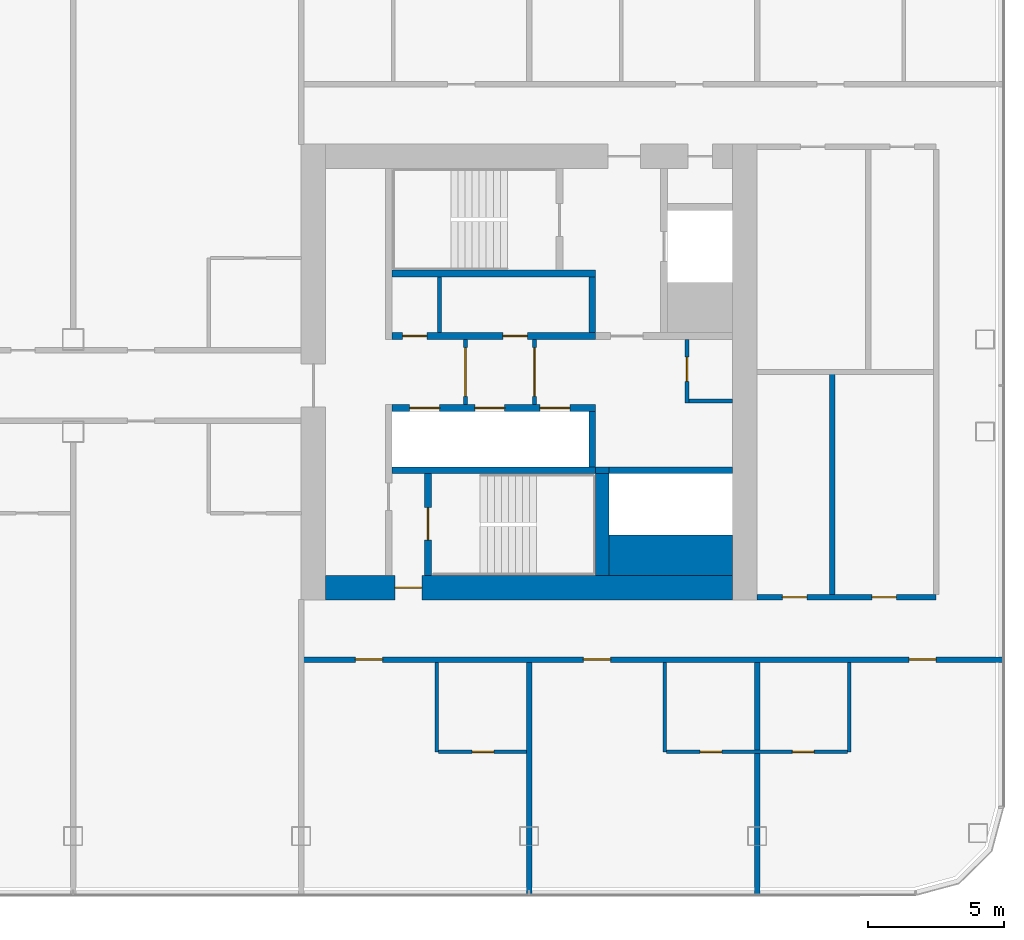
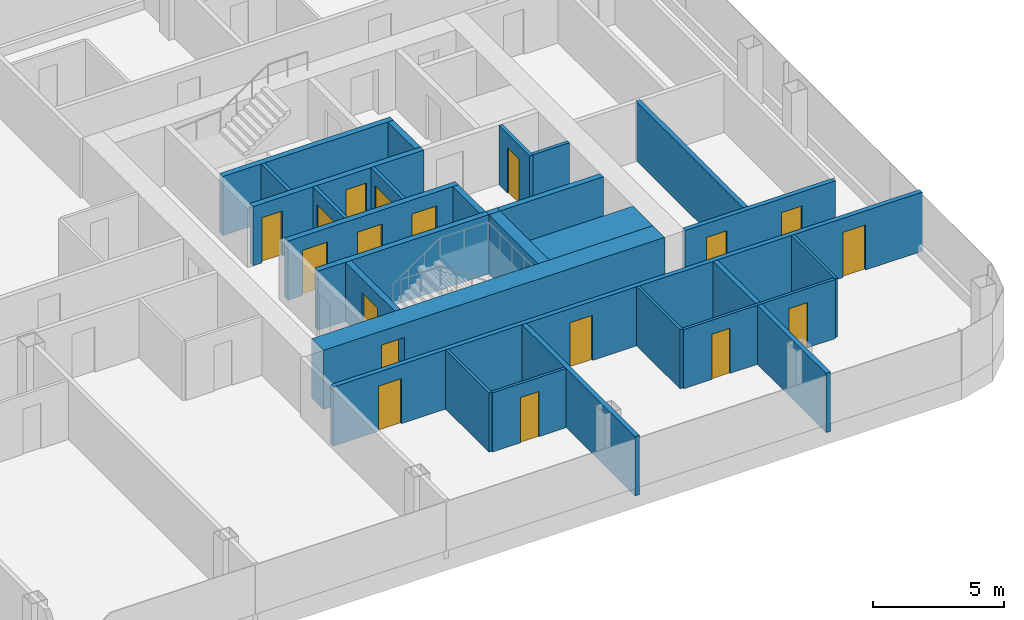
# One storey, part 15 of 25: 27 walls, 18 doors, 18 openings.
"""IFC4 building model written with IfcOpenShell, lengths in metres."""

from ifc_helpers import new_model, si_unit, direction, frame, frame_2d, origin, place, context, subcontext, project, spatial, rectangle, extrude, material, layer, layer_set, type_object, element, fill, save


model = new_model("IFC4")

# Units and contexts
model_context = context("Model", 3, precision=1e-05, world=origin(), true_north=direction((0.0, 1.0)))
body_context = subcontext(model_context, "Body", "Model", "MODEL_VIEW")
ifc_project = project(units=[si_unit("LENGTHUNIT", "METRE"), si_unit("AREAUNIT", "SQUARE_METRE"), si_unit("VOLUMEUNIT", "CUBIC_METRE"), si_unit("PLANEANGLEUNIT", "RADIAN"), si_unit("MASSUNIT", "GRAM", prefix="KILO")], contexts=[model_context])

# Site, building, storey
site_placement = place(None, origin())
site = spatial("IfcSite", under=ifc_project, at=site_placement, CompositionType="ELEMENT")
building_placement = place(site_placement, origin())
building = spatial("IfcBuilding", under=site, at=building_placement, Name="Hakoniwa Tower and Hamabe Station Hall", CompositionType="ELEMENT")
storey_placement = place(building_placement, frame((0.0, 0.0, 147.0)))
storey = spatial("IfcBuildingStorey", under=building, at=storey_placement, Name="L41", CompositionType="ELEMENT", Elevation=147.0)

# Wall, opening, door
ifc_material_1 = material(Name="Gypsum board partition", Category="gypsum")
ifc_layer_1 = layer(ifc_material_1, 0.125)
ifc_layer_set_1 = layer_set([ifc_layer_1], Name="Bathroom Partition 125")
wall_type_1 = type_object("IfcWallType", Name="Bathroom Partition 125", PredefinedType="PARTITIONING", material=ifc_layer_set_1)
wall_1_placement = place(storey_placement, frame((21.862548828125, -14.0, 0.0), z_axis=(0.0, 0.0, 1.0), x_axis=(1.0, 0.0, 0.0)))
wall_1 = element("IfcWall", 1, at=wall_1_placement, inside=storey, type_object=wall_type_1, Name="GW-L41-004", PredefinedType="PARTITIONING", context=body_context, shape_type="SweptSolid", body=[
    extrude(rectangle(XDim=3.237548828125, YDim=0.125, at=frame_2d((1.61865234375, 0.0))), origin(), (0.0, 0.0, 1.0), 2.75),
])
opening_1_placement = place(wall_1_placement, frame((1.237548828125, 0.0, 0.0)))
opening_1 = element("IfcOpeningElement", 2, at=opening_1_placement, cuts=wall_1, Name="Opening GD-G3A1-03", PredefinedType="OPENING", context=body_context, shape_type="SweptSolid", body=[
    extrude(rectangle(XDim=0.800048828125, YDim=2.10009765625, at=frame_2d((0.39990234375, 1.050048828125))), frame((0.0, 0.072509765625, 0.0), z_axis=(0.0, -1.0, 0.0), x_axis=(1.0, 0.0, 0.0)), (0.0, 0.0, 1.0), 0.14501953125),
])
ifc_material_2 = material(Name="Timber door leaf", Category="wood")
door_type_1 = type_object("IfcDoorType", Name="Bathroom Door 800", OperationType="SINGLE_SWING_LEFT", PredefinedType="DOOR", material=ifc_material_2)
door_1_placement = place(opening_1_placement, origin())
door_1 = element("IfcDoor", 3, at=door_1_placement, inside=storey, type_object=door_type_1, Name="Door GD-G3A1-03", OperationType="SINGLE_SWING_LEFT", OverallHeight=2.10009765625, OverallWidth=0.800048828125, PredefinedType="DOOR", context=body_context, shape_type="SweptSolid", body=[
    extrude(rectangle(XDim=0.800048828125, YDim=2.10009765625, at=frame_2d((0.39990234375, 1.050048828125))), frame((0.0, 0.02490234375, 0.0), z_axis=(0.0, -1.0, 0.0), x_axis=(1.0, 0.0, 0.0)), (0.0, 0.0, 1.0), 0.050048828125),
])
fill(opening_1, door_1)

# Wall, openings, doors
wall_2_placement = place(storey_placement, frame((30.262451171875, -14.0, 0.0), z_axis=(0.0, 0.0, 1.0), x_axis=(1.0, 0.0, 0.0)))
wall_2 = element("IfcWall", 4, at=wall_2_placement, inside=storey, type_object=wall_type_1, Name="GW-L41-005", PredefinedType="PARTITIONING", context=body_context, shape_type="SweptSolid", body=[
    extrude(rectangle(XDim=6.675048828125, YDim=0.125, at=frame_2d((3.33740234375, 0.0))), origin(), (0.0, 0.0, 1.0), 2.75),
])
opening_2_placement = place(wall_2_placement, frame((1.237548828125, 0.0, 0.0)))
opening_2 = element("IfcOpeningElement", 5, at=opening_2_placement, cuts=wall_2, Name="Opening GD-G3A1-04", PredefinedType="OPENING", context=body_context, shape_type="SweptSolid", body=[
    extrude(rectangle(XDim=0.800048828125, YDim=2.10009765625, at=frame_2d((0.39990234375, 1.050048828125))), frame((0.0, 0.072509765625, 0.0), z_axis=(0.0, -1.0, 0.0), x_axis=(1.0, 0.0, 0.0)), (0.0, 0.0, 1.0), 0.14501953125),
])
opening_3_placement = place(wall_2_placement, frame((4.637451171875, 0.0, 0.0)))
opening_3 = element("IfcOpeningElement", 6, at=opening_3_placement, cuts=wall_2, Name="Opening GD-G3A1-05", PredefinedType="OPENING", context=body_context, shape_type="SweptSolid", body=[
    extrude(rectangle(XDim=0.800048828125, YDim=2.10009765625, at=frame_2d((0.39990234375, 1.050048828125))), frame((0.0, 0.072509765625, 0.0), z_axis=(0.0, -1.0, 0.0), x_axis=(1.0, 0.0, 0.0)), (0.0, 0.0, 1.0), 0.14501953125),
])
door_2_placement = place(opening_2_placement, origin())
door_2 = element("IfcDoor", 7, at=door_2_placement, inside=storey, type_object=door_type_1, Name="Door GD-G3A1-04", OperationType="SINGLE_SWING_RIGHT", OverallHeight=2.10009765625, OverallWidth=0.800048828125, PredefinedType="DOOR", context=body_context, shape_type="SweptSolid", body=[
    extrude(rectangle(XDim=0.800048828125, YDim=2.10009765625, at=frame_2d((0.39990234375, 1.050048828125))), frame((0.0, 0.02490234375, 0.0), z_axis=(0.0, -1.0, 0.0), x_axis=(1.0, 0.0, 0.0)), (0.0, 0.0, 1.0), 0.050048828125),
])
fill(opening_2, door_2)
door_3_placement = place(opening_3_placement, origin())
door_3 = element("IfcDoor", 8, at=door_3_placement, inside=storey, type_object=door_type_1, Name="Door GD-G3A1-05", OperationType="SINGLE_SWING_LEFT", OverallHeight=2.10009765625, OverallWidth=0.800048828125, PredefinedType="DOOR", context=body_context, shape_type="SweptSolid", body=[
    extrude(rectangle(XDim=0.800048828125, YDim=2.10009765625, at=frame_2d((0.39990234375, 1.050048828125))), frame((0.0, 0.02490234375, 0.0), z_axis=(0.0, -1.0, 0.0), x_axis=(1.0, 0.0, 0.0)), (0.0, 0.0, 1.0), 0.050048828125),
])
fill(opening_3, door_3)

# Walls
for number, where, z_axis, x_axis, name in (
    (9, (21.800048828125, -14.0, 0.0), (0.0, 0.0, 1.0), (0.0, 1.0, 0.0), "GW-L41-060"),
    (10, (30.199951171875, -14.0, 0.0), (0.0, 0.0, 1.0), (0.0, 1.0, 0.0), "GW-L41-064"),
    (11, (37.0, -14.0, 0.0), (0.0, 0.0, 1.0), (0.0, 1.0, 0.0), "GW-L41-068"),
):
    element("IfcWall", number, at=place(storey_placement, frame(where, z_axis=z_axis, x_axis=x_axis)), inside=storey, type_object=wall_type_1, Name=name, PredefinedType="PARTITIONING", context=body_context, shape_type="SweptSolid", body=[
        extrude(rectangle(XDim=3.300048828125, YDim=0.125, at=frame_2d((1.64990234375, 0.0))), origin(), (0.0, 0.0, 1.0), 2.75),
    ])

# Wall, opening, door
ifc_material_3 = material(Name="Gypsum board partition")
ifc_layer_2 = layer(ifc_material_3, 0.14990234375)
ifc_layer_set_2 = layer_set([ifc_layer_2], Name="CORE PARTITION 150 EI 60")
wall_type_2 = type_object("IfcWallType", Name="CORE PARTITION 150 EI 60", PredefinedType="PARTITIONING", material=ifc_layer_set_2)
wall_3_placement = place(storey_placement, frame((22.85009765625, -1.199951171875, 0.0), z_axis=(0.0, 0.0, 1.0), x_axis=(0.0, 1.0, 0.0)))
wall_3 = element("IfcWall", 12, at=wall_3_placement, inside=storey, type_object=wall_type_2, Name="Core partition PL0 east", PredefinedType="PARTITIONING", context=body_context, shape_type="SweptSolid", body=[
    extrude(rectangle(XDim=2.39990234375, YDim=0.14990234375, at=frame_2d((1.199951171875, 0.0))), origin(), (0.0, 0.0, 1.0), 2.75),
])
opening_4_placement = place(wall_3_placement, frame((0.300048828125, 0.0, 0.0)))
opening_4 = element("IfcOpeningElement", 13, at=opening_4_placement, cuts=wall_3, Name="Opening CD-E-LP0-18", PredefinedType="OPENING", context=body_context, shape_type="SweptSolid", body=[
    extrude(rectangle(XDim=1.800048828125, YDim=2.10009765625, at=frame_2d((0.89990234375, 1.050048828125))), frame((0.0, 0.0849609375, 0.0), z_axis=(0.0, -1.0, 0.0), x_axis=(1.0, 0.0, 0.0)), (0.0, 0.0, 1.0), 0.169921875),
])
ifc_material_4 = material(Name="Steel fire door", Category="steel")
door_type_2 = type_object("IfcDoorType", Name="CORE DOOR 1800 FD60", OperationType="DOUBLE_DOOR_SINGLE_SWING", PredefinedType="DOOR", material=ifc_material_4)
door_4_placement = place(opening_4_placement, origin())
door_4 = element("IfcDoor", 14, at=door_4_placement, inside=storey, type_object=door_type_2, Name="Lift lobby partition door", OperationType="DOUBLE_DOOR_SINGLE_SWING", OverallHeight=2.10009765625, OverallWidth=1.800048828125, PredefinedType="DOOR", context=body_context, shape_type="SweptSolid", body=[
    extrude(rectangle(XDim=1.800048828125, YDim=2.10009765625, at=frame_2d((0.89990234375, 1.050048828125))), frame((0.0, 0.02490234375, 0.0), z_axis=(0.0, -1.0, 0.0), x_axis=(1.0, 0.0, 0.0)), (0.0, 0.0, 1.0), 0.050048828125),
])
fill(opening_4, door_4)

wall_4_placement = place(storey_placement, frame((25.39990234375, -1.199951171875, 0.0), z_axis=(0.0, 0.0, 1.0), x_axis=(0.0, 1.0, 0.0)))
wall_4 = element("IfcWall", 15, at=wall_4_placement, inside=storey, type_object=wall_type_2, Name="Core partition PL1 east", PredefinedType="PARTITIONING", context=body_context, shape_type="SweptSolid", body=[
    extrude(rectangle(XDim=2.39990234375, YDim=0.14990234375, at=frame_2d((1.199951171875, 0.0))), origin(), (0.0, 0.0, 1.0), 2.75),
])
opening_5_placement = place(wall_4_placement, frame((0.300048828125, 0.0, 0.0)))
opening_5 = element("IfcOpeningElement", 16, at=opening_5_placement, cuts=wall_4, Name="Opening CD-E-LP1-18", PredefinedType="OPENING", context=body_context, shape_type="SweptSolid", body=[
    extrude(rectangle(XDim=1.800048828125, YDim=2.10009765625, at=frame_2d((0.89990234375, 1.050048828125))), frame((0.0, 0.0849609375, 0.0), z_axis=(0.0, -1.0, 0.0), x_axis=(1.0, 0.0, 0.0)), (0.0, 0.0, 1.0), 0.169921875),
])
door_5_placement = place(opening_5_placement, origin())
door_5 = element("IfcDoor", 17, at=door_5_placement, inside=storey, type_object=door_type_2, Name="Lift lobby partition door", OperationType="DOUBLE_DOOR_SINGLE_SWING", OverallHeight=2.10009765625, OverallWidth=1.800048828125, PredefinedType="DOOR", context=body_context, shape_type="SweptSolid", body=[
    extrude(rectangle(XDim=1.800048828125, YDim=2.10009765625, at=frame_2d((0.89990234375, 1.050048828125))), frame((0.0, 0.02490234375, 0.0), z_axis=(0.0, -1.0, 0.0), x_axis=(1.0, 0.0, 0.0)), (0.0, 0.0, 1.0), 0.050048828125),
])
fill(opening_5, door_5)

wall_5_placement = place(storey_placement, frame((31.02490234375, -1.14990234375, 0.0), z_axis=(0.0, 0.0, 1.0), x_axis=(0.0, 1.0, 0.0)))
wall_5 = element("IfcWall", 18, at=wall_5_placement, inside=storey, type_object=wall_type_2, Name="Core partition PW0 east", PredefinedType="PARTITIONING", context=body_context, shape_type="SweptSolid", body=[
    extrude(rectangle(XDim=2.349853515625, YDim=0.14990234375, at=frame_2d((1.1748046875, 0.0))), origin(), (0.0, 0.0, 1.0), 2.75),
])
opening_6_placement = place(wall_5_placement, frame((0.800048828125, 0.0, 0.0)))
opening_6 = element("IfcOpeningElement", 19, at=opening_6_placement, cuts=wall_5, Name="Opening CD-E-RM1-9", PredefinedType="OPENING", context=body_context, shape_type="SweptSolid", body=[
    extrude(rectangle(XDim=0.89990234375, YDim=2.10009765625, at=frame_2d((0.449951171875, 1.050048828125))), frame((0.0, 0.0849609375, 0.0), z_axis=(0.0, -1.0, 0.0), x_axis=(1.0, 0.0, 0.0)), (0.0, 0.0, 1.0), 0.169921875),
])
ifc_material_5 = material(Name="Steel fire door", Category="steel")
door_type_3 = type_object("IfcDoorType", Name="CORE DOOR 900 FD30", OperationType="NOTDEFINED", PredefinedType="DOOR", material=ifc_material_5)
door_6_placement = place(opening_6_placement, origin())
door_6 = element("IfcDoor", 20, at=door_6_placement, inside=storey, type_object=door_type_3, Name="Store room door", OperationType="SINGLE_SWING_RIGHT", OverallHeight=2.10009765625, OverallWidth=0.89990234375, PredefinedType="DOOR", context=body_context, shape_type="SweptSolid", body=[
    extrude(rectangle(XDim=0.89990234375, YDim=2.10009765625, at=frame_2d((0.449951171875, 1.050048828125))), frame((0.0, 0.02490234375, 0.0), z_axis=(0.0, -1.0, 0.0), x_axis=(1.0, 0.0, 0.0)), (0.0, 0.0, 1.0), 0.050048828125),
])
fill(opening_6, door_6)

# Walls
wall_6_placement = place(storey_placement, frame((31.10009765625, -1.074951171875, 0.0), z_axis=(0.0, 0.0, 1.0), x_axis=(1.0, 0.0, 0.0)))
element("IfcWall", 21, at=wall_6_placement, inside=storey, type_object=wall_type_2, Name="Core partition PS east", PredefinedType="PARTITIONING", context=body_context, shape_type="SweptSolid", body=[
    extrude(rectangle(XDim=1.599853515625, YDim=0.14990234375, at=frame_2d((0.7998046875, 0.0))), origin(), (0.0, 0.0, 1.0), 2.75),
])
wall_7_placement = place(storey_placement, frame((21.89990234375, 1.449951171875, 0.0), z_axis=(0.0, 0.0, 1.0), x_axis=(0.0, 1.0, 0.0)))
element("IfcWall", 22, at=wall_7_placement, inside=storey, type_object=wall_type_2, Name="Core partition PFLR0 east", PredefinedType="PARTITIONING", context=body_context, shape_type="SweptSolid", body=[
    extrude(rectangle(XDim=2.050048828125, YDim=0.14990234375, at=frame_2d((1.02490234375, 0.0))), origin(), (0.0, 0.0, 1.0), 2.75),
])

# Wall, opening, door
ifc_material_6 = material(Name="Concrete C66", Category="concrete")
ifc_layer_3 = layer(ifc_material_6, 0.89990234375)
ifc_layer_set_3 = layer_set([ifc_layer_3], Name="CORE WALL 900 C66")
wall_type_3 = type_object("IfcWallType", Name="CORE WALL 900 C66", PredefinedType="SHEAR", material=ifc_layer_set_3)
wall_8_placement = place(storey_placement, frame((17.699951171875, -7.949951171875, 0.0), z_axis=(0.0, 0.0, 1.0), x_axis=(1.0, 0.0, 0.0)))
wall_8 = element("IfcWall", 23, at=wall_8_placement, inside=storey, type_object=wall_type_3, Name="Core wall SOUTH east", PredefinedType="SHEAR", context=body_context, shape_type="SweptSolid", body=[
    extrude(rectangle(XDim=15.0, YDim=0.89990234375, at=frame_2d((7.5, 0.0))), origin(), (0.0, 0.0, 1.0), 2.75),
])
opening_7_placement = place(wall_8_placement, frame((2.550048828125, 0.0, 0.0)))
opening_7 = element("IfcOpeningElement", 24, at=opening_7_placement, cuts=wall_8, Name="Opening CD-E-FS3-10", PredefinedType="OPENING", context=body_context, shape_type="SweptSolid", body=[
    extrude(rectangle(XDim=1.0, YDim=2.10009765625, at=frame_2d((0.5, 1.050048828125))), frame((0.0, 0.4599609375, 0.0), z_axis=(0.0, -1.0, 0.0), x_axis=(1.0, 0.0, 0.0)), (0.0, 0.0, 1.0), 0.919921875),
])
ifc_material_7 = material(Name="Steel fire door", Category="steel")
door_type_4 = type_object("IfcDoorType", Name="CORE DOOR 1000 FD60", OperationType="NOTDEFINED", PredefinedType="DOOR", material=ifc_material_7)
door_7_placement = place(opening_7_placement, origin())
door_7 = element("IfcDoor", 25, at=door_7_placement, inside=storey, type_object=door_type_4, Name="Stair vestibule door", OperationType="SINGLE_SWING_RIGHT", OverallHeight=2.10009765625, OverallWidth=1.0, PredefinedType="DOOR", context=body_context, shape_type="SweptSolid", body=[
    extrude(rectangle(XDim=1.0, YDim=2.10009765625, at=frame_2d((0.5, 1.050048828125))), frame((0.0, 0.02490234375, 0.0), z_axis=(0.0, -1.0, 0.0), x_axis=(1.0, 0.0, 0.0)), (0.0, 0.0, 1.0), 0.050048828125),
])
fill(opening_7, door_7)

# Wall
ifc_material_8 = material(Name="Concrete C66", Category="concrete")
ifc_layer_4 = layer(ifc_material_8, 1.5)
ifc_layer_set_4 = layer_set([ifc_layer_4], Name="CORE WEB WALL 1500 C66")
wall_type_4 = type_object("IfcWallType", Name="CORE WEB WALL 1500 C66", PredefinedType="SHEAR", material=ifc_layer_set_4)
wall_9_placement = place(storey_placement, frame((28.14990234375, -6.75, 0.0), z_axis=(0.0, 0.0, 1.0), x_axis=(1.0, 0.0, 0.0)))
element("IfcWall", 26, at=wall_9_placement, inside=storey, type_object=wall_type_4, Name="Core wall SER east", PredefinedType="SHEAR", context=body_context, shape_type="SweptSolid", body=[
    extrude(rectangle(XDim=4.550048828125, YDim=1.5, at=frame_2d((2.27490234375, 0.0))), origin(), (0.0, 0.0, 1.0), 2.75),
])

# Wall, openings, doors
ifc_material_9 = material(Name="Concrete C66", Category="concrete")
ifc_layer_5 = layer(ifc_material_9, 0.25)
ifc_layer_set_5 = layer_set([ifc_layer_5], Name="CORE WEB WALL 250 C66")
wall_type_5 = type_object("IfcWallType", Name="CORE WEB WALL 250 C66", PredefinedType="SHEAR", material=ifc_layer_set_5)
wall_10_placement = place(storey_placement, frame((20.14990234375, 1.324951171875, 0.0), z_axis=(0.0, 0.0, 1.0), x_axis=(1.0, 0.0, 0.0)))
wall_10 = element("IfcWall", 27, at=wall_10_placement, inside=storey, type_object=wall_type_5, Name="Core wall NF east", PredefinedType="SHEAR", context=body_context, shape_type="SweptSolid", body=[
    extrude(rectangle(XDim=7.5, YDim=0.25, at=frame_2d((3.75, 0.0))), origin(), (0.0, 0.0, 1.0), 2.75),
])
opening_8_placement = place(wall_10_placement, frame((0.387451171875, 0.0, 0.0)))
opening_8 = element("IfcOpeningElement", 28, at=opening_8_placement, cuts=wall_10, Name="Opening CD-E-FRLR0-9", PredefinedType="OPENING", context=body_context, shape_type="SweptSolid", body=[
    extrude(rectangle(XDim=0.89990234375, YDim=2.10009765625, at=frame_2d((0.449951171875, 1.050048828125))), frame((0.0, 0.135009765625, 0.0), z_axis=(0.0, -1.0, 0.0), x_axis=(1.0, 0.0, 0.0)), (0.0, 0.0, 1.0), 0.27001953125),
])
opening_9_placement = place(wall_10_placement, frame((4.08740234375, 0.0, 0.0)))
opening_9 = element("IfcOpeningElement", 29, at=opening_9_placement, cuts=wall_10, Name="Opening CD-E-FRLR1-9", PredefinedType="OPENING", context=body_context, shape_type="SweptSolid", body=[
    extrude(rectangle(XDim=0.89990234375, YDim=2.10009765625, at=frame_2d((0.449951171875, 1.050048828125))), frame((0.0, 0.135009765625, 0.0), z_axis=(0.0, -1.0, 0.0), x_axis=(1.0, 0.0, 0.0)), (0.0, 0.0, 1.0), 0.27001953125),
])
door_8_placement = place(opening_8_placement, origin())
door_8 = element("IfcDoor", 30, at=door_8_placement, inside=storey, type_object=door_type_3, Name="Store room door", OperationType="SINGLE_SWING_RIGHT", OverallHeight=2.10009765625, OverallWidth=0.89990234375, PredefinedType="DOOR", context=body_context, shape_type="SweptSolid", body=[
    extrude(rectangle(XDim=0.89990234375, YDim=2.10009765625, at=frame_2d((0.449951171875, 1.050048828125))), frame((0.0, 0.02490234375, 0.0), z_axis=(0.0, -1.0, 0.0), x_axis=(1.0, 0.0, 0.0)), (0.0, 0.0, 1.0), 0.050048828125),
])
fill(opening_8, door_8)
door_9_placement = place(opening_9_placement, origin())
door_9 = element("IfcDoor", 31, at=door_9_placement, inside=storey, type_object=door_type_3, Name="Store room door", OperationType="SINGLE_SWING_LEFT", OverallHeight=2.10009765625, OverallWidth=0.89990234375, PredefinedType="DOOR", context=body_context, shape_type="SweptSolid", body=[
    extrude(rectangle(XDim=0.89990234375, YDim=2.10009765625, at=frame_2d((0.449951171875, 1.050048828125))), frame((0.0, 0.02490234375, 0.0), z_axis=(0.0, -1.0, 0.0), x_axis=(1.0, 0.0, 0.0)), (0.0, 0.0, 1.0), 0.050048828125),
])
fill(opening_9, door_9)

# Walls
wall_11_placement = place(storey_placement, frame((27.52490234375, 1.449951171875, 0.0), z_axis=(0.0, 0.0, 1.0), x_axis=(0.0, 1.0, 0.0)))
element("IfcWall", 32, at=wall_11_placement, inside=storey, type_object=wall_type_5, Name="Core wall NE east", PredefinedType="SHEAR", context=body_context, shape_type="SweptSolid", body=[
    extrude(rectangle(XDim=2.050048828125, YDim=0.25, at=frame_2d((1.02490234375, 0.0))), origin(), (0.0, 0.0, 1.0), 2.75),
])
wall_12_placement = place(storey_placement, frame((20.14990234375, 3.625, 0.0), z_axis=(0.0, 0.0, 1.0), x_axis=(1.0, 0.0, 0.0)))
element("IfcWall", 33, at=wall_12_placement, inside=storey, type_object=wall_type_5, Name="Core wall NR east", PredefinedType="SHEAR", context=body_context, shape_type="SweptSolid", body=[
    extrude(rectangle(XDim=7.5, YDim=0.25, at=frame_2d((3.75, 0.0))), origin(), (0.0, 0.0, 1.0), 2.75),
])

# Wall, openings, doors
wall_13_placement = place(storey_placement, frame((20.14990234375, -1.324951171875, 0.0), z_axis=(0.0, 0.0, 1.0), x_axis=(1.0, 0.0, 0.0)))
wall_13 = element("IfcWall", 34, at=wall_13_placement, inside=storey, type_object=wall_type_5, Name="Core wall SF east", PredefinedType="SHEAR", context=body_context, shape_type="SweptSolid", body=[
    extrude(rectangle(XDim=7.5, YDim=0.25, at=frame_2d((3.75, 0.0))), origin(), (0.0, 0.0, 1.0), 2.75),
])
opening_10_placement = place(wall_13_placement, frame((0.64990234375, 0.0, 0.0)))
opening_10 = element("IfcOpeningElement", 35, at=opening_10_placement, cuts=wall_13, Name="Opening LD-HR4", PredefinedType="OPENING", context=body_context, shape_type="SweptSolid", body=[
    extrude(rectangle(XDim=1.10009765625, YDim=2.10009765625, at=frame_2d((0.550048828125, 1.050048828125))), frame((0.0, 0.135009765625, 0.0), z_axis=(0.0, -1.0, 0.0), x_axis=(1.0, 0.0, 0.0)), (0.0, 0.0, 1.0), 0.27001953125),
])
opening_11_placement = place(wall_13_placement, frame((3.050048828125, 0.0, 0.0)))
opening_11 = element("IfcOpeningElement", 36, at=opening_11_placement, cuts=wall_13, Name="Opening LD-HR5", PredefinedType="OPENING", context=body_context, shape_type="SweptSolid", body=[
    extrude(rectangle(XDim=1.10009765625, YDim=2.10009765625, at=frame_2d((0.550048828125, 1.050048828125))), frame((0.0, 0.135009765625, 0.0), z_axis=(0.0, -1.0, 0.0), x_axis=(1.0, 0.0, 0.0)), (0.0, 0.0, 1.0), 0.27001953125),
])
opening_12_placement = place(wall_13_placement, frame((5.449951171875, 0.0, 0.0)))
opening_12 = element("IfcOpeningElement", 37, at=opening_12_placement, cuts=wall_13, Name="Opening LD-HR6", PredefinedType="OPENING", context=body_context, shape_type="SweptSolid", body=[
    extrude(rectangle(XDim=1.10009765625, YDim=2.10009765625, at=frame_2d((0.550048828125, 1.050048828125))), frame((0.0, 0.135009765625, 0.0), z_axis=(0.0, -1.0, 0.0), x_axis=(1.0, 0.0, 0.0)), (0.0, 0.0, 1.0), 0.27001953125),
])
ifc_material_10 = material(Name="Stainless steel SUS304", Category="steel")
door_type_5 = type_object("IfcDoorType", Name="LIFT LANDING DOOR 1100 FD60", OperationType="DOUBLE_DOOR_SLIDING", PredefinedType="DOOR", material=ifc_material_10)
door_10_placement = place(opening_10_placement, origin())
door_10 = element("IfcDoor", 38, at=door_10_placement, inside=storey, type_object=door_type_5, Name="Lift landing door HR4 L41", OperationType="DOUBLE_DOOR_SLIDING", OverallHeight=2.10009765625, OverallWidth=1.10009765625, PredefinedType="DOOR", context=body_context, shape_type="SweptSolid", body=[
    extrude(rectangle(XDim=1.10009765625, YDim=2.10009765625, at=frame_2d((0.550048828125, 1.050048828125))), frame((0.0, 0.02490234375, 0.0), z_axis=(0.0, -1.0, 0.0), x_axis=(1.0, 0.0, 0.0)), (0.0, 0.0, 1.0), 0.050048828125),
])
fill(opening_10, door_10)
door_11_placement = place(opening_11_placement, origin())
door_11 = element("IfcDoor", 39, at=door_11_placement, inside=storey, type_object=door_type_5, Name="Lift landing door HR5 L41", OperationType="DOUBLE_DOOR_SLIDING", OverallHeight=2.10009765625, OverallWidth=1.10009765625, PredefinedType="DOOR", context=body_context, shape_type="SweptSolid", body=[
    extrude(rectangle(XDim=1.10009765625, YDim=2.10009765625, at=frame_2d((0.550048828125, 1.050048828125))), frame((0.0, 0.02490234375, 0.0), z_axis=(0.0, -1.0, 0.0), x_axis=(1.0, 0.0, 0.0)), (0.0, 0.0, 1.0), 0.050048828125),
])
fill(opening_11, door_11)
door_12_placement = place(opening_12_placement, origin())
door_12 = element("IfcDoor", 40, at=door_12_placement, inside=storey, type_object=door_type_5, Name="Lift landing door HR6 L41", OperationType="DOUBLE_DOOR_SLIDING", OverallHeight=2.10009765625, OverallWidth=1.10009765625, PredefinedType="DOOR", context=body_context, shape_type="SweptSolid", body=[
    extrude(rectangle(XDim=1.10009765625, YDim=2.10009765625, at=frame_2d((0.550048828125, 1.050048828125))), frame((0.0, 0.02490234375, 0.0), z_axis=(0.0, -1.0, 0.0), x_axis=(1.0, 0.0, 0.0)), (0.0, 0.0, 1.0), 0.050048828125),
])
fill(opening_12, door_12)

# Walls
wall_14_placement = place(storey_placement, frame((27.52490234375, -3.5, 0.0), z_axis=(0.0, 0.0, 1.0), x_axis=(0.0, 1.0, 0.0)))
element("IfcWall", 41, at=wall_14_placement, inside=storey, type_object=wall_type_5, Name="Core wall SE east", PredefinedType="SHEAR", context=body_context, shape_type="SweptSolid", body=[
    extrude(rectangle(XDim=2.050048828125, YDim=0.25, at=frame_2d((1.02490234375, 0.0))), origin(), (0.0, 0.0, 1.0), 2.75),
])
wall_15_placement = place(storey_placement, frame((20.14990234375, -3.625, 0.0), z_axis=(0.0, 0.0, 1.0), x_axis=(1.0, 0.0, 0.0)))
element("IfcWall", 42, at=wall_15_placement, inside=storey, type_object=wall_type_5, Name="Core wall SR east", PredefinedType="SHEAR", context=body_context, shape_type="SweptSolid", body=[
    extrude(rectangle(XDim=7.5, YDim=0.25, at=frame_2d((3.75, 0.0))), origin(), (0.0, 0.0, 1.0), 2.75),
])

# Wall, opening, door
wall_16_placement = place(storey_placement, frame((21.47509765625, -7.5, 0.0), z_axis=(0.0, 0.0, 1.0), x_axis=(0.0, 1.0, 0.0)))
wall_16 = element("IfcWall", 43, at=wall_16_placement, inside=storey, type_object=wall_type_5, Name="Core wall VE east", PredefinedType="SHEAR", context=body_context, shape_type="SweptSolid", body=[
    extrude(rectangle(XDim=3.75, YDim=0.25, at=frame_2d((1.875, 0.0))), origin(), (0.0, 0.0, 1.0), 2.75),
])
opening_13_placement = place(wall_16_placement, frame((1.300048828125, 0.0, 0.0)))
opening_13 = element("IfcOpeningElement", 44, at=opening_13_placement, cuts=wall_16, Name="Opening CD-E-SS-12", PredefinedType="OPENING", context=body_context, shape_type="SweptSolid", body=[
    extrude(rectangle(XDim=1.199951171875, YDim=2.10009765625, at=frame_2d((0.60009765625, 1.050048828125))), frame((0.0, 0.135009765625, 0.0), z_axis=(0.0, -1.0, 0.0), x_axis=(1.0, 0.0, 0.0)), (0.0, 0.0, 1.0), 0.27001953125),
])
ifc_material_11 = material(Name="Steel fire door", Category="steel")
door_type_6 = type_object("IfcDoorType", Name="CORE DOOR 1200 FD60", OperationType="DOUBLE_DOOR_SINGLE_SWING", PredefinedType="DOOR", material=ifc_material_11)
door_13_placement = place(opening_13_placement, origin())
door_13 = element("IfcDoor", 45, at=door_13_placement, inside=storey, type_object=door_type_6, Name="Escape stair door", OperationType="DOUBLE_DOOR_SINGLE_SWING", OverallHeight=2.10009765625, OverallWidth=1.199951171875, PredefinedType="DOOR", context=body_context, shape_type="SweptSolid", body=[
    extrude(rectangle(XDim=1.199951171875, YDim=2.10009765625, at=frame_2d((0.60009765625, 1.050048828125))), frame((0.0, 0.02490234375, 0.0), z_axis=(0.0, -1.0, 0.0), x_axis=(1.0, 0.0, 0.0)), (0.0, 0.0, 1.0), 0.050048828125),
])
fill(opening_13, door_13)

# Walls
wall_17_placement = place(storey_placement, frame((28.14990234375, -3.625, 0.0), z_axis=(0.0, 0.0, 1.0), x_axis=(1.0, 0.0, 0.0)))
element("IfcWall", 46, at=wall_17_placement, inside=storey, type_object=wall_type_5, Name="Core wall SEF east", PredefinedType="SHEAR", context=body_context, shape_type="SweptSolid", body=[
    extrude(rectangle(XDim=4.550048828125, YDim=0.25, at=frame_2d((2.27490234375, 0.0))), origin(), (0.0, 0.0, 1.0), 2.75),
])
wall_18_placement = place(storey_placement, frame((27.64990234375, -3.625, 0.0), z_axis=(0.0, 0.0, 1.0), x_axis=(1.0, 0.0, 0.0)))
element("IfcWall", 47, at=wall_18_placement, inside=storey, type_object=wall_type_5, Name="Core wall SRK east", PredefinedType="SHEAR", context=body_context, shape_type="SweptSolid", body=[
    extrude(rectangle(XDim=0.5, YDim=0.25, at=frame_2d((0.25, 0.0))), origin(), (0.0, 0.0, 1.0), 2.75),
])
ifc_material_12 = material(Name="Concrete C66", Category="concrete")
ifc_layer_6 = layer(ifc_material_12, 0.5)
ifc_layer_set_6 = layer_set([ifc_layer_6], Name="CORE WEB WALL 500 C66")
wall_type_6 = type_object("IfcWallType", Name="CORE WEB WALL 500 C66", PredefinedType="SHEAR", material=ifc_layer_set_6)
wall_19_placement = place(storey_placement, frame((27.89990234375, -7.5, 0.0), z_axis=(0.0, 0.0, 1.0), x_axis=(0.0, 1.0, 0.0)))
element("IfcWall", 48, at=wall_19_placement, inside=storey, type_object=wall_type_6, Name="Core wall SSE east", PredefinedType="SHEAR", context=body_context, shape_type="SweptSolid", body=[
    extrude(rectangle(XDim=3.75, YDim=0.5, at=frame_2d((1.875, 0.0))), origin(), (0.0, 0.0, 1.0), 2.75),
])

# Wall, openings, doors
ifc_material_13 = material(Name="Fire-rated gypsum board partition", Category="gypsum")
ifc_layer_7 = layer(ifc_material_13, 0.199951171875)
ifc_layer_set_7 = layer_set([ifc_layer_7], Name="Corridor Wall 200")
wall_type_7 = type_object("IfcWallType", Name="Corridor Wall 200", PredefinedType="PARTITIONING", material=ifc_layer_set_7)
wall_20_placement = place(storey_placement, frame((16.800048828125, -10.60009765625, 0.0), z_axis=(0.0, 0.0, 1.0), x_axis=(1.0, 0.0, 0.0)))
wall_20 = element("IfcWall", 49, at=wall_20_placement, inside=storey, type_object=wall_type_7, Name="GW-L41-007", PredefinedType="PARTITIONING", context=body_context, shape_type="SweptSolid", body=[
    extrude(rectangle(XDim=25.89990234375, YDim=0.199951171875, at=frame_2d((12.949951171875, 0.0))), origin(), (0.0, 0.0, 1.0), 2.75),
])
opening_14_placement = place(wall_20_placement, frame((2.0, 0.0, 0.0)))
opening_14 = element("IfcOpeningElement", 50, at=opening_14_placement, cuts=wall_20, Name="Opening GD-G3A1-09", PredefinedType="OPENING", context=body_context, shape_type="SweptSolid", body=[
    extrude(rectangle(XDim=1.0, YDim=2.10009765625, at=frame_2d((0.5, 1.050048828125))), frame((0.0, 0.10986328125, 0.0), z_axis=(0.0, -1.0, 0.0), x_axis=(1.0, 0.0, 0.0)), (0.0, 0.0, 1.0), 0.219970703125),
])
opening_15_placement = place(wall_20_placement, frame((10.39990234375, 0.0, 0.0)))
opening_15 = element("IfcOpeningElement", 51, at=opening_15_placement, cuts=wall_20, Name="Opening GD-G3A1-10", PredefinedType="OPENING", context=body_context, shape_type="SweptSolid", body=[
    extrude(rectangle(XDim=1.0, YDim=2.10009765625, at=frame_2d((0.5, 1.050048828125))), frame((0.0, 0.10986328125, 0.0), z_axis=(0.0, -1.0, 0.0), x_axis=(1.0, 0.0, 0.0)), (0.0, 0.0, 1.0), 0.219970703125),
])
opening_16_placement = place(wall_20_placement, frame((22.39990234375, 0.0, 0.0)))
opening_16 = element("IfcOpeningElement", 52, at=opening_16_placement, cuts=wall_20, Name="Opening GD-G3A1-11", PredefinedType="OPENING", context=body_context, shape_type="SweptSolid", body=[
    extrude(rectangle(XDim=1.0, YDim=2.10009765625, at=frame_2d((0.5, 1.050048828125))), frame((0.0, 0.10986328125, 0.0), z_axis=(0.0, -1.0, 0.0), x_axis=(1.0, 0.0, 0.0)), (0.0, 0.0, 1.0), 0.219970703125),
])
ifc_material_14 = material(Name="Timber door leaf", Category="wood")
door_type_7 = type_object("IfcDoorType", Name="Guest Entrance Door 1000", OperationType="SINGLE_SWING_LEFT", PredefinedType="DOOR", material=ifc_material_14)
door_14_placement = place(opening_14_placement, origin())
door_14 = element("IfcDoor", 53, at=door_14_placement, inside=storey, type_object=door_type_7, Name="Door GD-G3A1-09", OperationType="SINGLE_SWING_RIGHT", OverallHeight=2.10009765625, OverallWidth=1.0, PredefinedType="DOOR", context=body_context, shape_type="SweptSolid", body=[
    extrude(rectangle(XDim=1.0, YDim=2.10009765625, at=frame_2d((0.5, 1.050048828125))), frame((0.0, 0.02490234375, 0.0), z_axis=(0.0, -1.0, 0.0), x_axis=(1.0, 0.0, 0.0)), (0.0, 0.0, 1.0), 0.050048828125),
])
fill(opening_14, door_14)
door_15_placement = place(opening_15_placement, origin())
door_15 = element("IfcDoor", 54, at=door_15_placement, inside=storey, type_object=door_type_7, Name="Door GD-G3A1-10", OperationType="SINGLE_SWING_RIGHT", OverallHeight=2.10009765625, OverallWidth=1.0, PredefinedType="DOOR", context=body_context, shape_type="SweptSolid", body=[
    extrude(rectangle(XDim=1.0, YDim=2.10009765625, at=frame_2d((0.5, 1.050048828125))), frame((0.0, 0.02490234375, 0.0), z_axis=(0.0, -1.0, 0.0), x_axis=(1.0, 0.0, 0.0)), (0.0, 0.0, 1.0), 0.050048828125),
])
fill(opening_15, door_15)
door_16_placement = place(opening_16_placement, origin())
door_16 = element("IfcDoor", 55, at=door_16_placement, inside=storey, type_object=door_type_7, Name="Door GD-G3A1-11", OperationType="SINGLE_SWING_LEFT", OverallHeight=2.10009765625, OverallWidth=1.0, PredefinedType="DOOR", context=body_context, shape_type="SweptSolid", body=[
    extrude(rectangle(XDim=1.0, YDim=2.10009765625, at=frame_2d((0.5, 1.050048828125))), frame((0.0, 0.02490234375, 0.0), z_axis=(0.0, -1.0, 0.0), x_axis=(1.0, 0.0, 0.0)), (0.0, 0.0, 1.0), 0.050048828125),
])
fill(opening_16, door_16)

wall_21_placement = place(storey_placement, frame((33.60009765625, -8.300048828125, 0.0), z_axis=(0.0, 0.0, 1.0), x_axis=(1.0, 0.0, 0.0)))
wall_21 = element("IfcWall", 56, at=wall_21_placement, inside=storey, type_object=wall_type_7, Name="GW-L41-009", PredefinedType="PARTITIONING", context=body_context, shape_type="SweptSolid", body=[
    extrude(rectangle(XDim=6.599853515625, YDim=0.199951171875, at=frame_2d((3.2998046875, 0.0))), origin(), (0.0, 0.0, 1.0), 2.75),
])
opening_17_placement = place(wall_21_placement, frame((0.93505859375, 0.0, 0.0)))
opening_17 = element("IfcOpeningElement", 57, at=opening_17_placement, cuts=wall_21, Name="Opening GD-G3A1-14", PredefinedType="OPENING", context=body_context, shape_type="SweptSolid", body=[
    extrude(rectangle(XDim=0.89990234375, YDim=2.10009765625, at=frame_2d((0.449951171875, 1.050048828125))), frame((0.0, 0.10986328125, 0.0), z_axis=(0.0, -1.0, 0.0), x_axis=(1.0, 0.0, 0.0)), (0.0, 0.0, 1.0), 0.219970703125),
])
opening_18_placement = place(wall_21_placement, frame((4.235107421875, 0.0, 0.0)))
opening_18 = element("IfcOpeningElement", 58, at=opening_18_placement, cuts=wall_21, Name="Opening GD-G3A1-15", PredefinedType="OPENING", context=body_context, shape_type="SweptSolid", body=[
    extrude(rectangle(XDim=0.89990234375, YDim=2.10009765625, at=frame_2d((0.449951171875, 1.050048828125))), frame((0.0, 0.10986328125, 0.0), z_axis=(0.0, -1.0, 0.0), x_axis=(1.0, 0.0, 0.0)), (0.0, 0.0, 1.0), 0.219970703125),
])
ifc_material_15 = material(Name="Timber door leaf", Category="wood")
door_type_8 = type_object("IfcDoorType", Name="Service Door 900", OperationType="SINGLE_SWING_LEFT", PredefinedType="DOOR", material=ifc_material_15)
door_17_placement = place(opening_17_placement, origin())
door_17 = element("IfcDoor", 59, at=door_17_placement, inside=storey, type_object=door_type_8, Name="Door GD-G3A1-14", OperationType="SINGLE_SWING_LEFT", OverallHeight=2.10009765625, OverallWidth=0.89990234375, PredefinedType="DOOR", context=body_context, shape_type="SweptSolid", body=[
    extrude(rectangle(XDim=0.89990234375, YDim=2.10009765625, at=frame_2d((0.449951171875, 1.050048828125))), frame((0.0, 0.02490234375, 0.0), z_axis=(0.0, -1.0, 0.0), x_axis=(1.0, 0.0, 0.0)), (0.0, 0.0, 1.0), 0.050048828125),
])
fill(opening_17, door_17)
door_18_placement = place(opening_18_placement, origin())
door_18 = element("IfcDoor", 60, at=door_18_placement, inside=storey, type_object=door_type_8, Name="Door GD-G3A1-15", OperationType="SINGLE_SWING_RIGHT", OverallHeight=2.10009765625, OverallWidth=0.89990234375, PredefinedType="DOOR", context=body_context, shape_type="SweptSolid", body=[
    extrude(rectangle(XDim=0.89990234375, YDim=2.10009765625, at=frame_2d((0.449951171875, 1.050048828125))), frame((0.0, 0.02490234375, 0.0), z_axis=(0.0, -1.0, 0.0), x_axis=(1.0, 0.0, 0.0)), (0.0, 0.0, 1.0), 0.050048828125),
])
fill(opening_18, door_18)

# Walls
ifc_material_16 = material(Name="Fire-rated gypsum board partition", Category="gypsum")
ifc_layer_8 = layer(ifc_material_16, 0.199951171875)
ifc_layer_set_8 = layer_set([ifc_layer_8], Name="Party Wall 200")
wall_type_8 = type_object("IfcWallType", Name="Party Wall 200", PredefinedType="PARTITIONING", material=ifc_layer_set_8)
for number, where, z_axis, x_axis, name in (
    (61, (25.199951171875, -19.300048828125, 0.0), (0.0, 0.0, 1.0), (0.0, 1.0, 0.0), "GW-L41-061"),
    (62, (33.60009765625, -19.300048828125, 0.0), (0.0, 0.0, 1.0), (0.0, 1.0, 0.0), "GW-L41-065"),
):
    element("IfcWall", number, at=place(storey_placement, frame(where, z_axis=z_axis, x_axis=x_axis)), inside=storey, type_object=wall_type_8, Name=name, PredefinedType="PARTITIONING", context=body_context, shape_type="SweptSolid", body=[
        extrude(rectangle(XDim=8.60009765625, YDim=0.199951171875, at=frame_2d((4.300048828125, 0.0))), origin(), (0.0, 0.0, 1.0), 2.75),
    ])
wall_22_placement = place(storey_placement, frame((36.3701171875, -8.199951171875, 0.0), z_axis=(0.0, 0.0, 1.0), x_axis=(0.0, 1.0, 0.0)))
element("IfcWall", 63, at=wall_22_placement, inside=storey, type_object=wall_type_8, Name="GW-L41-067", PredefinedType="PARTITIONING", context=body_context, shape_type="SweptSolid", body=[
    extrude(rectangle(XDim=8.199951171875, YDim=0.199951171875, at=frame_2d((4.10009765625, 0.0))), origin(), (0.0, 0.0, 1.0), 2.75),
])

save(model, "model.ifc")
